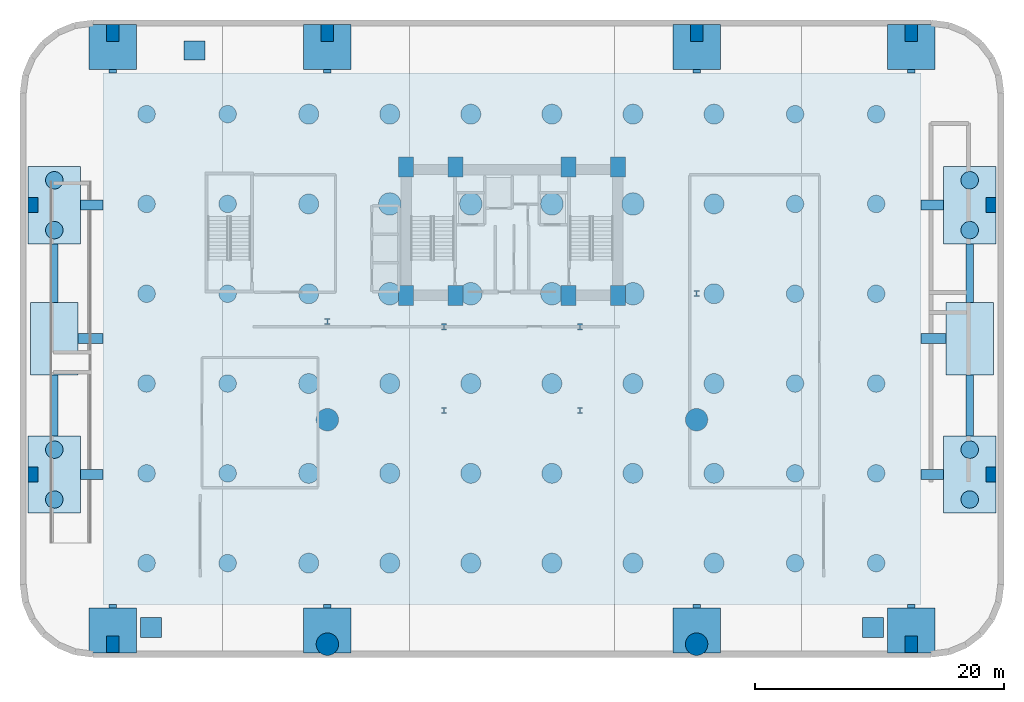
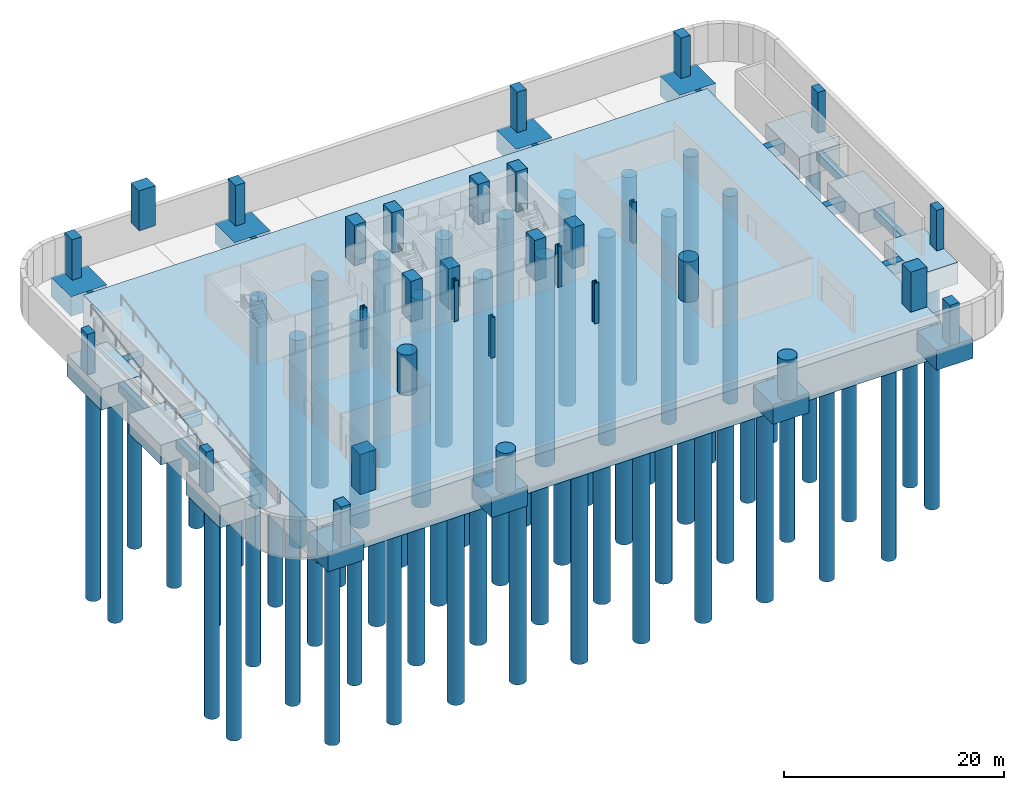
# One storey, part 1 of 8: 68 piles, 36 footings, 28 columns.
"""IFC4 building model written with IfcOpenShell, lengths in metres."""

from ifc_helpers import new_model, si_unit, direction, frame, origin, origin_2d, place, context, subcontext, project, spatial, polyline, rectangle, circle, i_section, outline, extrude, source, transform, mapped, material, material_profile, profile_set, type_object, element, save


model = new_model("IFC4")

# Units and contexts
model_context = context("Model", 3, precision=1e-05, world=origin(), true_north=direction((0.0, 1.0)))
body_context = subcontext(model_context, "Body", "Model", "MODEL_VIEW")
ifc_project = project(units=[si_unit("LENGTHUNIT", "METRE"), si_unit("AREAUNIT", "SQUARE_METRE"), si_unit("VOLUMEUNIT", "CUBIC_METRE"), si_unit("PLANEANGLEUNIT", "RADIAN"), si_unit("MASSUNIT", "GRAM", prefix="KILO")], contexts=[model_context])

# Site, building, storey
site_placement = place(None, origin())
site = spatial("IfcSite", under=ifc_project, at=site_placement, CompositionType="ELEMENT")
building_placement = place(site_placement, origin())
building = spatial("IfcBuilding", under=site, at=building_placement, Name="Varnelok Gate Tower", CompositionType="ELEMENT")
storey_placement = place(building_placement, frame((0.0, 0.0, -9.0)))
storey = spatial("IfcBuildingStorey", under=building, at=storey_placement, Name="B02", CompositionType="ELEMENT", Elevation=-9.0)

# Footings
ifc_material_1 = material(Name="Concrete C50/60", Category="concrete")
footing_type_1 = type_object("IfcFootingType", Name="FTG-CAP-B", PredefinedType="PILE_CAP", material=ifc_material_1)
footing_1_placement = place(storey_placement, frame((0.0, 0.0, 4.199951171875)))
element("IfcFooting", 1, at=footing_1_placement, inside=storey, type_object=footing_type_1, Name="Accessible Entry Ramp AR-1 Foundation Pier", PredefinedType="PILE_CAP", context=body_context, shape_type="SweptSolid", body=[
    extrude(outline(polyline([(9.39990234375, 1.35009765625), (11.10009765625, 1.35009765625), (11.10009765625, 2.949951171875), (9.39990234375, 2.949951171875), (9.39990234375, 1.35009765625)])), origin(), (0.0, 0.0, 1.0), 4.43994140625),
])
footing_2_placement = place(storey_placement, frame((0.0, 0.0, 4.199951171875)))
element("IfcFooting", 2, at=footing_2_placement, inside=storey, type_object=footing_type_1, Name="Accessible Entry Ramp AR-2 Foundation Pier", PredefinedType="PILE_CAP", context=body_context, shape_type="SweptSolid", body=[
    extrude(outline(polyline([(67.300048828125, 1.35009765625), (69.0, 1.35009765625), (69.0, 2.949951171875), (67.300048828125, 2.949951171875), (67.300048828125, 1.35009765625)])), origin(), (0.0, 0.0, 1.0), 4.43994140625),
])
footing_3_placement = place(storey_placement, frame((0.0, 0.0, 4.199951171875)))
element("IfcFooting", 3, at=footing_3_placement, inside=storey, type_object=footing_type_1, Name="Accessible Entry Ramp AR-3 Foundation Pier", PredefinedType="PILE_CAP", context=body_context, shape_type="SweptSolid", body=[
    extrude(outline(polyline([(12.89990234375, 47.64990234375), (14.60009765625, 47.64990234375), (14.60009765625, 49.14990234375), (12.89990234375, 49.14990234375), (12.89990234375, 47.64990234375)])), origin(), (0.0, 0.0, 1.0), 4.43994140625),
])
ifc_material_profile_1 = material_profile(ifc_material_1, rectangle(XDim=0.800048828125, YDim=1.199951171875, at=origin_2d()), Name="RC1200X800")
ifc_profile_set_1 = profile_set([ifc_material_profile_1], Name="Concrete C50/60")
footing_type_2 = type_object("IfcFootingType", Name="FTG-GB-1200", PredefinedType="FOOTING_BEAM", material=ifc_profile_set_1)
footing_4_placement = place(storey_placement, frame((4.60009765625, 14.39990234375, -0.60009765625), z_axis=(1.0, 0.0, 0.0), x_axis=(0.0, 1.0, 0.0)))
element("IfcFooting", 4, at=footing_4_placement, inside=storey, type_object=footing_type_2, Name="Foundation Tie Beam W1", PredefinedType="FOOTING_BEAM", context=body_context, shape_type="SweptSolid", body=[
    extrude(rectangle(XDim=0.800048828125, YDim=1.199951171875, at=origin_2d()), origin(), (0.0, 0.0, 1.0), 1.7998046875),
])
footing_5_placement = place(storey_placement, frame((72.0, 14.39990234375, -0.60009765625), z_axis=(1.0, 0.0, 0.0), x_axis=(0.0, 1.0, 0.0)))
element("IfcFooting", 5, at=footing_5_placement, inside=storey, type_object=footing_type_2, Name="Foundation Tie Beam E1", PredefinedType="FOOTING_BEAM", context=body_context, shape_type="SweptSolid", body=[
    extrude(rectangle(XDim=0.800048828125, YDim=1.199951171875, at=origin_2d()), origin(), (0.0, 0.0, 1.0), 1.800048828125),
])
for number, where, z_axis, x_axis, name in (
    (6, (4.39990234375, 25.300048828125, -0.60009765625), (1.0, 0.0, 0.0), (0.0, 1.0, 0.0), "Foundation Tie Beam W2"),
    (7, (72.0, 25.300048828125, -0.60009765625), (1.0, 0.0, 0.0), (0.0, 1.0, 0.0), "Foundation Tie Beam E2"),
):
    element("IfcFooting", number, at=place(storey_placement, frame(where, z_axis=z_axis, x_axis=x_axis)), inside=storey, type_object=footing_type_2, Name=name, PredefinedType="FOOTING_BEAM", context=body_context, shape_type="SweptSolid", body=[
        extrude(rectangle(XDim=0.800048828125, YDim=1.199951171875, at=origin_2d()), origin(), (0.0, 0.0, 1.0), 2.0),
    ])
footing_6_placement = place(storey_placement, frame((4.60009765625, 36.0, -0.60009765625), z_axis=(1.0, 0.0, 0.0), x_axis=(0.0, 1.0, 0.0)))
element("IfcFooting", 8, at=footing_6_placement, inside=storey, type_object=footing_type_2, Name="Foundation Tie Beam W3", PredefinedType="FOOTING_BEAM", context=body_context, shape_type="SweptSolid", body=[
    extrude(rectangle(XDim=0.800048828125, YDim=1.199951171875, at=origin_2d()), origin(), (0.0, 0.0, 1.0), 1.7998046875),
])
footing_7_placement = place(storey_placement, frame((72.0, 36.0, -0.60009765625), z_axis=(1.0, 0.0, 0.0), x_axis=(0.0, 1.0, 0.0)))
element("IfcFooting", 9, at=footing_7_placement, inside=storey, type_object=footing_type_2, Name="Foundation Tie Beam E3", PredefinedType="FOOTING_BEAM", context=body_context, shape_type="SweptSolid", body=[
    extrude(rectangle(XDim=0.800048828125, YDim=1.199951171875, at=origin_2d()), origin(), (0.0, 0.0, 1.0), 1.800048828125),
])
ifc_material_profile_2 = material_profile(ifc_material_1, rectangle(XDim=0.60009765625, YDim=0.949951171875, at=origin_2d()), Name="RC950X600")
ifc_profile_set_2 = profile_set([ifc_material_profile_2], Name="Concrete C50/60")
footing_type_3 = type_object("IfcFootingType", Name="FTG-GB-950", PredefinedType="FOOTING_BEAM", material=ifc_profile_set_2)
footing_8_placement = place(storey_placement, frame((2.5, 17.5, -0.47509765625), z_axis=(0.0, 1.0, 0.0), x_axis=(-1.0, 0.0, 0.0)))
element("IfcFooting", 10, at=footing_8_placement, inside=storey, type_object=footing_type_3, Name="Perimeter Ground Beam FTG-GB-WL1", PredefinedType="FOOTING_BEAM", context=body_context, shape_type="SweptSolid", body=[
    extrude(rectangle(XDim=0.60009765625, YDim=0.949951171875, at=origin_2d()), origin(), (0.0, 0.0, 1.0), 4.89990234375),
])
footing_9_placement = place(storey_placement, frame((2.5, 28.199951171875, -0.47509765625), z_axis=(0.0, 1.0, 0.0), x_axis=(-1.0, 0.0, 0.0)))
element("IfcFooting", 11, at=footing_9_placement, inside=storey, type_object=footing_type_3, Name="Perimeter Ground Beam FTG-GB-WL2", PredefinedType="FOOTING_BEAM", context=body_context, shape_type="SweptSolid", body=[
    extrude(rectangle(XDim=0.60009765625, YDim=0.949951171875, at=origin_2d()), origin(), (0.0, 0.0, 1.0), 4.699951171875),
])
footing_10_placement = place(storey_placement, frame((75.89990234375, 17.5, -0.47509765625), z_axis=(0.0, 1.0, 0.0), x_axis=(-1.0, 0.0, 0.0)))
element("IfcFooting", 12, at=footing_10_placement, inside=storey, type_object=footing_type_3, Name="Perimeter Ground Beam FTG-GB-EL1", PredefinedType="FOOTING_BEAM", context=body_context, shape_type="SweptSolid", body=[
    extrude(rectangle(XDim=0.60009765625, YDim=0.949951171875, at=origin_2d()), origin(), (0.0, 0.0, 1.0), 4.89990234375),
])
footing_11_placement = place(storey_placement, frame((75.89990234375, 28.199951171875, -0.47509765625), z_axis=(0.0, 1.0, 0.0), x_axis=(-1.0, 0.0, 0.0)))
element("IfcFooting", 13, at=footing_11_placement, inside=storey, type_object=footing_type_3, Name="Perimeter Ground Beam FTG-GB-EL2", PredefinedType="FOOTING_BEAM", context=body_context, shape_type="SweptSolid", body=[
    extrude(rectangle(XDim=0.60009765625, YDim=0.949951171875, at=origin_2d()), origin(), (0.0, 0.0, 1.0), 4.699951171875),
])
for number, where, z_axis, x_axis, name in (
    (14, (7.199951171875, 3.699951171875, -0.47509765625), (0.0, 1.0, 0.0), (-1.0, 0.0, 0.0), "North-South Tie Ground Beam PM01"),
    (15, (24.39990234375, 3.699951171875, -0.47509765625), (0.0, 1.0, 0.0), (-1.0, 0.0, 0.0), "North-South Tie Ground Beam PM02"),
    (16, (54.0, 3.699951171875, -0.47509765625), (0.0, 1.0, 0.0), (-1.0, 0.0, 0.0), "North-South Tie Ground Beam PM03"),
    (17, (71.199951171875, 3.699951171875, -0.47509765625), (0.0, 1.0, 0.0), (-1.0, 0.0, 0.0), "North-South Tie Ground Beam PM04"),
):
    element("IfcFooting", number, at=place(storey_placement, frame(where, z_axis=z_axis, x_axis=x_axis)), inside=storey, type_object=footing_type_3, Name=name, PredefinedType="FOOTING_BEAM", context=body_context, shape_type="SweptSolid", body=[
        extrude(rectangle(XDim=0.60009765625, YDim=0.949951171875, at=origin_2d()), origin(), (0.0, 0.0, 1.0), 0.300048828125),
    ])
for number, where, z_axis, x_axis, name in (
    (18, (7.199951171875, 46.60009765625, -0.47509765625), (0.0, 1.0, 0.0), (-1.0, 0.0, 0.0), "North-South Tie Ground Beam PM07"),
    (19, (24.39990234375, 46.60009765625, -0.47509765625), (0.0, 1.0, 0.0), (-1.0, 0.0, 0.0), "North-South Tie Ground Beam PM08"),
    (20, (54.0, 46.60009765625, -0.47509765625), (0.0, 1.0, 0.0), (-1.0, 0.0, 0.0), "North-South Tie Ground Beam PM09"),
    (21, (71.199951171875, 46.60009765625, -0.47509765625), (0.0, 1.0, 0.0), (-1.0, 0.0, 0.0), "North-South Tie Ground Beam PM10"),
):
    element("IfcFooting", number, at=place(storey_placement, frame(where, z_axis=z_axis, x_axis=x_axis)), inside=storey, type_object=footing_type_3, Name=name, PredefinedType="FOOTING_BEAM", context=body_context, shape_type="SweptSolid", body=[
        extrude(rectangle(XDim=0.60009765625, YDim=0.949951171875, at=origin_2d()), origin(), (0.0, 0.0, 1.0), 0.2998046875),
    ])
footing_type_4 = type_object("IfcFootingType", Name="FTG-RAFT-4000", PredefinedType="PILE_CAP", material=ifc_material_1)
footing_12_placement = place(storey_placement, frame((0.0, 0.0, -4.0)))
element("IfcFooting", 22, at=footing_12_placement, inside=storey, type_object=footing_type_4, Name="Main Tower RC Piled Raft Foundation", PredefinedType="PILE_CAP", context=body_context, shape_type="SweptSolid", body=[
    extrude(outline(polyline([(6.39990234375, 4.0), (72.0, 4.0), (72.0, 46.60009765625), (6.39990234375, 46.60009765625), (6.39990234375, 4.0)])), origin(), (0.0, 0.0, 1.0), 4.0),
])

# Piles
ifc_material_profile_3 = material_profile(ifc_material_1, circle(Radius=0.699951171875, at=origin_2d()), Name="RCD1400")
ifc_profile_set_3 = profile_set([ifc_material_profile_3], Name="Concrete C50/60")
pile_type_1 = type_object("IfcPileType", Name="PILE-RCD1400", PredefinedType="BORED", material=ifc_profile_set_3)
for number, where, z_axis, x_axis, name in (
    (23, (9.89990234375, 7.300048828125, -3.89990234375), (0.0, 0.0, -1.0), (1.0, 0.0, 0.0), "Rock-Socketed Bored Pile P-001"),
    (24, (9.89990234375, 14.5, -3.89990234375), (0.0, 0.0, -1.0), (1.0, 0.0, 0.0), "Rock-Socketed Bored Pile P-002"),
    (25, (9.89990234375, 21.699951171875, -3.89990234375), (0.0, 0.0, -1.0), (1.0, 0.0, 0.0), "Rock-Socketed Bored Pile P-003"),
    (26, (9.89990234375, 28.89990234375, -3.89990234375), (0.0, 0.0, -1.0), (1.0, 0.0, 0.0), "Rock-Socketed Bored Pile P-004"),
    (27, (9.89990234375, 36.10009765625, -3.89990234375), (0.0, 0.0, -1.0), (1.0, 0.0, 0.0), "Rock-Socketed Bored Pile P-005"),
    (28, (9.89990234375, 43.300048828125, -3.89990234375), (0.0, 0.0, -1.0), (1.0, 0.0, 0.0), "Rock-Socketed Bored Pile P-006"),
    (29, (16.39990234375, 7.300048828125, -3.89990234375), (0.0, 0.0, -1.0), (1.0, 0.0, 0.0), "Rock-Socketed Bored Pile P-007"),
    (30, (16.39990234375, 14.5, -3.89990234375), (0.0, 0.0, -1.0), (1.0, 0.0, 0.0), "Rock-Socketed Bored Pile P-008"),
    (31, (16.39990234375, 21.699951171875, -3.89990234375), (0.0, 0.0, -1.0), (1.0, 0.0, 0.0), "Rock-Socketed Bored Pile P-009"),
    (32, (16.39990234375, 28.89990234375, -3.89990234375), (0.0, 0.0, -1.0), (1.0, 0.0, 0.0), "Rock-Socketed Bored Pile P-010"),
    (33, (16.39990234375, 36.10009765625, -3.89990234375), (0.0, 0.0, -1.0), (1.0, 0.0, 0.0), "Rock-Socketed Bored Pile P-011"),
    (34, (16.39990234375, 43.300048828125, -3.89990234375), (0.0, 0.0, -1.0), (1.0, 0.0, 0.0), "Rock-Socketed Bored Pile P-012"),
    (35, (61.89990234375, 7.300048828125, -3.89990234375), (0.0, 0.0, -1.0), (1.0, 0.0, 0.0), "Rock-Socketed Bored Pile P-049"),
    (36, (61.89990234375, 14.5, -3.89990234375), (0.0, 0.0, -1.0), (1.0, 0.0, 0.0), "Rock-Socketed Bored Pile P-050"),
    (37, (61.89990234375, 21.699951171875, -3.89990234375), (0.0, 0.0, -1.0), (1.0, 0.0, 0.0), "Rock-Socketed Bored Pile P-051"),
    (38, (61.89990234375, 28.89990234375, -3.89990234375), (0.0, 0.0, -1.0), (1.0, 0.0, 0.0), "Rock-Socketed Bored Pile P-052"),
    (39, (61.89990234375, 36.10009765625, -3.89990234375), (0.0, 0.0, -1.0), (1.0, 0.0, 0.0), "Rock-Socketed Bored Pile P-053"),
    (40, (61.89990234375, 43.300048828125, -3.89990234375), (0.0, 0.0, -1.0), (1.0, 0.0, 0.0), "Rock-Socketed Bored Pile P-054"),
    (41, (68.39990234375, 7.300048828125, -3.89990234375), (0.0, 0.0, -1.0), (1.0, 0.0, 0.0), "Rock-Socketed Bored Pile P-055"),
    (42, (68.39990234375, 14.5, -3.89990234375), (0.0, 0.0, -1.0), (1.0, 0.0, 0.0), "Rock-Socketed Bored Pile P-056"),
    (43, (68.39990234375, 21.699951171875, -3.89990234375), (0.0, 0.0, -1.0), (1.0, 0.0, 0.0), "Rock-Socketed Bored Pile P-057"),
    (44, (68.39990234375, 28.89990234375, -3.89990234375), (0.0, 0.0, -1.0), (1.0, 0.0, 0.0), "Rock-Socketed Bored Pile P-058"),
    (45, (68.39990234375, 36.10009765625, -3.89990234375), (0.0, 0.0, -1.0), (1.0, 0.0, 0.0), "Rock-Socketed Bored Pile P-059"),
    (46, (68.39990234375, 43.300048828125, -3.89990234375), (0.0, 0.0, -1.0), (1.0, 0.0, 0.0), "Rock-Socketed Bored Pile P-060"),
):
    element("IfcPile", number, at=place(storey_placement, frame(where, z_axis=z_axis, x_axis=x_axis)), inside=storey, type_object=pile_type_1, Name=name, PredefinedType="BORED", context=body_context, shape_type="SweptSolid", body=[
        extrude(circle(Radius=0.699951171875, at=origin_2d()), origin(), (0.0, 0.0, 1.0), 23.10009765625),
    ])
for number, where, z_axis, x_axis, name in (
    (47, (2.5, 12.39990234375, -2.300048828125), (0.0, 0.0, -1.0), (1.0, 0.0, 0.0), "Perimeter Cap Bored Pile FTG-CAP-W1-1"),
    (48, (2.5, 16.39990234375, -2.300048828125), (0.0, 0.0, -1.0), (1.0, 0.0, 0.0), "Perimeter Cap Bored Pile FTG-CAP-W1-2"),
    (49, (2.5, 34.0, -2.300048828125), (0.0, 0.0, -1.0), (1.0, 0.0, 0.0), "Perimeter Cap Bored Pile FTG-CAP-W3-1"),
    (50, (2.5, 38.0, -2.300048828125), (0.0, 0.0, -1.0), (1.0, 0.0, 0.0), "Perimeter Cap Bored Pile FTG-CAP-W3-2"),
    (51, (75.89990234375, 12.39990234375, -2.300048828125), (0.0, 0.0, -1.0), (1.0, 0.0, 0.0), "Perimeter Cap Bored Pile FTG-CAP-E1-1"),
    (52, (75.89990234375, 16.39990234375, -2.300048828125), (0.0, 0.0, -1.0), (1.0, 0.0, 0.0), "Perimeter Cap Bored Pile FTG-CAP-E1-2"),
    (53, (75.89990234375, 34.0, -2.300048828125), (0.0, 0.0, -1.0), (1.0, 0.0, 0.0), "Perimeter Cap Bored Pile FTG-CAP-E3-1"),
    (54, (75.89990234375, 38.0, -2.300048828125), (0.0, 0.0, -1.0), (1.0, 0.0, 0.0), "Perimeter Cap Bored Pile FTG-CAP-E3-2"),
):
    element("IfcPile", number, at=place(storey_placement, frame(where, z_axis=z_axis, x_axis=x_axis)), inside=storey, type_object=pile_type_1, Name=name, PredefinedType="BORED", context=body_context, shape_type="SweptSolid", body=[
        extrude(circle(Radius=0.699951171875, at=origin_2d()), origin(), (0.0, 0.0, 1.0), 24.699951171875),
    ])
ifc_material_profile_4 = material_profile(ifc_material_1, circle(Radius=0.800048828125, at=origin_2d()), Name="RCD1600")
ifc_profile_set_4 = profile_set([ifc_material_profile_4], Name="Concrete C50/60")
pile_type_2 = type_object("IfcPileType", Name="PILE-RCD1600", PredefinedType="BORED", material=ifc_profile_set_4)
for number, where, z_axis, x_axis, name in (
    (55, (22.89990234375, 7.300048828125, -3.89990234375), (0.0, 0.0, -1.0), (1.0, 0.0, 0.0), "Rock-Socketed Bored Pile P-013"),
    (56, (22.89990234375, 14.5, -3.89990234375), (0.0, 0.0, -1.0), (1.0, 0.0, 0.0), "Rock-Socketed Bored Pile P-014"),
    (57, (22.89990234375, 21.699951171875, -3.89990234375), (0.0, 0.0, -1.0), (1.0, 0.0, 0.0), "Rock-Socketed Bored Pile P-015"),
    (58, (22.89990234375, 28.89990234375, -3.89990234375), (0.0, 0.0, -1.0), (1.0, 0.0, 0.0), "Rock-Socketed Bored Pile P-016"),
    (59, (22.89990234375, 36.10009765625, -3.89990234375), (0.0, 0.0, -1.0), (1.0, 0.0, 0.0), "Rock-Socketed Bored Pile P-017"),
    (60, (22.89990234375, 43.300048828125, -3.89990234375), (0.0, 0.0, -1.0), (1.0, 0.0, 0.0), "Rock-Socketed Bored Pile P-018"),
    (61, (29.39990234375, 7.300048828125, -3.89990234375), (0.0, 0.0, -1.0), (1.0, 0.0, 0.0), "Rock-Socketed Bored Pile P-019"),
    (62, (29.39990234375, 14.5, -3.89990234375), (0.0, 0.0, -1.0), (1.0, 0.0, 0.0), "Rock-Socketed Bored Pile P-020"),
    (63, (29.39990234375, 21.699951171875, -3.89990234375), (0.0, 0.0, -1.0), (1.0, 0.0, 0.0), "Rock-Socketed Bored Pile P-021"),
    (64, (29.39990234375, 43.300048828125, -3.89990234375), (0.0, 0.0, -1.0), (1.0, 0.0, 0.0), "Rock-Socketed Bored Pile P-024"),
    (65, (35.89990234375, 7.300048828125, -3.89990234375), (0.0, 0.0, -1.0), (1.0, 0.0, 0.0), "Rock-Socketed Bored Pile P-025"),
    (66, (35.89990234375, 14.5, -3.89990234375), (0.0, 0.0, -1.0), (1.0, 0.0, 0.0), "Rock-Socketed Bored Pile P-026"),
    (67, (35.89990234375, 21.699951171875, -3.89990234375), (0.0, 0.0, -1.0), (1.0, 0.0, 0.0), "Rock-Socketed Bored Pile P-027"),
    (68, (35.89990234375, 43.300048828125, -3.89990234375), (0.0, 0.0, -1.0), (1.0, 0.0, 0.0), "Rock-Socketed Bored Pile P-030"),
    (69, (42.39990234375, 7.300048828125, -3.89990234375), (0.0, 0.0, -1.0), (1.0, 0.0, 0.0), "Rock-Socketed Bored Pile P-031"),
    (70, (42.39990234375, 14.5, -3.89990234375), (0.0, 0.0, -1.0), (1.0, 0.0, 0.0), "Rock-Socketed Bored Pile P-032"),
    (71, (42.39990234375, 21.699951171875, -3.89990234375), (0.0, 0.0, -1.0), (1.0, 0.0, 0.0), "Rock-Socketed Bored Pile P-033"),
    (72, (42.39990234375, 43.300048828125, -3.89990234375), (0.0, 0.0, -1.0), (1.0, 0.0, 0.0), "Rock-Socketed Bored Pile P-036"),
    (73, (48.89990234375, 7.300048828125, -3.89990234375), (0.0, 0.0, -1.0), (1.0, 0.0, 0.0), "Rock-Socketed Bored Pile P-037"),
    (74, (48.89990234375, 14.5, -3.89990234375), (0.0, 0.0, -1.0), (1.0, 0.0, 0.0), "Rock-Socketed Bored Pile P-038"),
    (75, (48.89990234375, 21.699951171875, -3.89990234375), (0.0, 0.0, -1.0), (1.0, 0.0, 0.0), "Rock-Socketed Bored Pile P-039"),
    (76, (48.89990234375, 43.300048828125, -3.89990234375), (0.0, 0.0, -1.0), (1.0, 0.0, 0.0), "Rock-Socketed Bored Pile P-042"),
    (77, (55.39990234375, 7.300048828125, -3.89990234375), (0.0, 0.0, -1.0), (1.0, 0.0, 0.0), "Rock-Socketed Bored Pile P-043"),
    (78, (55.39990234375, 14.5, -3.89990234375), (0.0, 0.0, -1.0), (1.0, 0.0, 0.0), "Rock-Socketed Bored Pile P-044"),
    (79, (55.39990234375, 21.699951171875, -3.89990234375), (0.0, 0.0, -1.0), (1.0, 0.0, 0.0), "Rock-Socketed Bored Pile P-045"),
    (80, (55.39990234375, 28.89990234375, -3.89990234375), (0.0, 0.0, -1.0), (1.0, 0.0, 0.0), "Rock-Socketed Bored Pile P-046"),
    (81, (55.39990234375, 36.10009765625, -3.89990234375), (0.0, 0.0, -1.0), (1.0, 0.0, 0.0), "Rock-Socketed Bored Pile P-047"),
    (82, (55.39990234375, 43.300048828125, -3.89990234375), (0.0, 0.0, -1.0), (1.0, 0.0, 0.0), "Rock-Socketed Bored Pile P-048"),
):
    element("IfcPile", number, at=place(storey_placement, frame(where, z_axis=z_axis, x_axis=x_axis)), inside=storey, type_object=pile_type_2, Name=name, PredefinedType="BORED", context=body_context, shape_type="SweptSolid", body=[
        extrude(circle(Radius=0.800048828125, at=origin_2d()), origin(), (0.0, 0.0, 1.0), 23.10009765625),
    ])
ifc_material_profile_5 = material_profile(ifc_material_1, circle(Radius=0.89990234375, at=origin_2d()), Name="RCD1800")
ifc_profile_set_5 = profile_set([ifc_material_profile_5], Name="Concrete C50/60")
pile_type_3 = type_object("IfcPileType", Name="PILE-RCD1800", PredefinedType="BORED", material=ifc_profile_set_5)
for number, where, z_axis, x_axis, name in (
    (83, (29.39990234375, 28.89990234375, -3.89990234375), (0.0, 0.0, -1.0), (1.0, 0.0, 0.0), "Rock-Socketed Bored Pile P-022"),
    (84, (29.39990234375, 36.10009765625, -3.89990234375), (0.0, 0.0, -1.0), (1.0, 0.0, 0.0), "Rock-Socketed Bored Pile P-023"),
    (85, (35.89990234375, 28.89990234375, -3.89990234375), (0.0, 0.0, -1.0), (1.0, 0.0, 0.0), "Rock-Socketed Bored Pile P-028"),
    (86, (35.89990234375, 36.10009765625, -3.89990234375), (0.0, 0.0, -1.0), (1.0, 0.0, 0.0), "Rock-Socketed Bored Pile P-029"),
    (87, (42.39990234375, 28.89990234375, -3.89990234375), (0.0, 0.0, -1.0), (1.0, 0.0, 0.0), "Rock-Socketed Bored Pile P-034"),
    (88, (42.39990234375, 36.10009765625, -3.89990234375), (0.0, 0.0, -1.0), (1.0, 0.0, 0.0), "Rock-Socketed Bored Pile P-035"),
    (89, (48.89990234375, 28.89990234375, -3.89990234375), (0.0, 0.0, -1.0), (1.0, 0.0, 0.0), "Rock-Socketed Bored Pile P-040"),
    (90, (48.89990234375, 36.10009765625, -3.89990234375), (0.0, 0.0, -1.0), (1.0, 0.0, 0.0), "Rock-Socketed Bored Pile P-041"),
):
    element("IfcPile", number, at=place(storey_placement, frame(where, z_axis=z_axis, x_axis=x_axis)), inside=storey, type_object=pile_type_3, Name=name, PredefinedType="BORED", context=body_context, shape_type="SweptSolid", body=[
        extrude(circle(Radius=0.89990234375, at=origin_2d()), origin(), (0.0, 0.0, 1.0), 23.10009765625),
    ])

# Footings
footing_type_5 = type_object("IfcFootingType", Name="FTG-CAP-A", PredefinedType="PILE_CAP", material=ifc_material_1)
shared_shape_1 = source(origin(), body_context, "Body", "SweptSolid", [
    extrude(rectangle(XDim=4.199951171875, YDim=6.199951171875, at=origin_2d()), origin(), (0.0, 0.0, 1.0), 2.39990234375),
])
for number, where, z_axis, x_axis, name in (
    (91, (2.5, 14.39990234375, -2.39990234375), (0.0, 0.0, 1.0), (1.0, 0.0, 0.0), "Perimeter Mega-Pier Pile Cap FTG-CAP-W1"),
    (92, (2.5, 36.0, -2.39990234375), (0.0, 0.0, 1.0), (1.0, 0.0, 0.0), "Perimeter Mega-Pier Pile Cap FTG-CAP-W3"),
    (93, (75.89990234375, 14.39990234375, -2.39990234375), (0.0, 0.0, 1.0), (1.0, 0.0, 0.0), "Perimeter Mega-Pier Pile Cap FTG-CAP-E1"),
    (94, (75.89990234375, 36.0, -2.39990234375), (0.0, 0.0, 1.0), (1.0, 0.0, 0.0), "Perimeter Mega-Pier Pile Cap FTG-CAP-E3"),
):
    element("IfcFooting", number, at=place(storey_placement, frame(where, z_axis=z_axis, x_axis=x_axis)), inside=storey, type_object=footing_type_5, Name=name, PredefinedType="PILE_CAP", context=body_context, shape_type="MappedRepresentation", body=[
        mapped(shared_shape_1, transform((0.0, 0.0, 0.0), scale=1.0)),
    ])
shared_shape_2 = source(origin(), body_context, "Body", "SweptSolid", [
    extrude(rectangle(XDim=3.800048828125, YDim=5.800048828125, at=origin_2d()), origin(), (0.0, 0.0, 1.0), 2.199951171875),
])
for number, where, z_axis, x_axis, name in (
    (95, (2.5, 25.300048828125, -2.2001953125), (0.0, 0.0, 1.0), (1.0, 0.0, 0.0), "Perimeter Mega-Pier Pile Cap FTG-CAP-W2"),
    (96, (75.89990234375, 25.300048828125, -2.2001953125), (0.0, 0.0, 1.0), (1.0, 0.0, 0.0), "Perimeter Mega-Pier Pile Cap FTG-CAP-E2"),
):
    element("IfcFooting", number, at=place(storey_placement, frame(where, z_axis=z_axis, x_axis=x_axis)), inside=storey, type_object=footing_type_1, Name=name, PredefinedType="PILE_CAP", context=body_context, shape_type="MappedRepresentation", body=[
        mapped(shared_shape_2, transform((0.0, 0.0, 0.0), scale=1.0)),
    ])
shared_shape_3 = source(origin(), body_context, "Body", "SweptSolid", [
    extrude(rectangle(XDim=3.800048828125, YDim=3.60009765625, at=origin_2d()), origin(), (0.0, 0.0, 1.0), 2.199951171875),
])
for number, where, z_axis, x_axis, name in (
    (97, (7.199951171875, 1.89990234375, -2.2001953125), (0.0, 0.0, 1.0), (1.0, 0.0, 0.0), "Mega-Column Pile Cap PM01"),
    (98, (24.39990234375, 1.89990234375, -2.2001953125), (0.0, 0.0, 1.0), (1.0, 0.0, 0.0), "Mega-Column Pile Cap PM02"),
    (99, (54.0, 1.89990234375, -2.2001953125), (0.0, 0.0, 1.0), (1.0, 0.0, 0.0), "Mega-Column Pile Cap PM03"),
    (100, (71.199951171875, 1.89990234375, -2.2001953125), (0.0, 0.0, 1.0), (1.0, 0.0, 0.0), "Mega-Column Pile Cap PM04"),
    (101, (7.199951171875, 48.699951171875, -2.2001953125), (0.0, 0.0, 1.0), (1.0, 0.0, 0.0), "Mega-Column Pile Cap PM07"),
    (102, (24.39990234375, 48.699951171875, -2.2001953125), (0.0, 0.0, 1.0), (1.0, 0.0, 0.0), "Mega-Column Pile Cap PM08"),
    (103, (54.0, 48.699951171875, -2.2001953125), (0.0, 0.0, 1.0), (1.0, 0.0, 0.0), "Mega-Column Pile Cap PM09"),
    (104, (71.199951171875, 48.699951171875, -2.2001953125), (0.0, 0.0, 1.0), (1.0, 0.0, 0.0), "Mega-Column Pile Cap PM10"),
):
    element("IfcFooting", number, at=place(storey_placement, frame(where, z_axis=z_axis, x_axis=x_axis)), inside=storey, type_object=footing_type_1, Name=name, PredefinedType="PILE_CAP", context=body_context, shape_type="MappedRepresentation", body=[
        mapped(shared_shape_3, transform((0.0, 0.0, 0.0), scale=1.0)),
    ])

# Columns
ifc_material_2 = material(Name="Concrete C60/75", Category="concrete")
ifc_material_profile_6 = material_profile(ifc_material_2, rectangle(XDim=0.800048828125, YDim=1.199951171875, at=origin_2d()), Name="RC1200X800")
ifc_profile_set_6 = profile_set([ifc_material_profile_6], Name="Concrete C60/75")
column_type_1 = type_object("IfcColumnType", Name="COL-PIL-RC1200", PredefinedType="PILASTER", material=ifc_profile_set_6)
for number, where, z_axis, x_axis, name in (
    (105, (0.800048828125, 14.39990234375, 0.0), (0.0, 0.0, 1.0), (1.0, 0.0, 0.0), "B02 Podium Mega-Column PM11"),
    (106, (0.800048828125, 36.0, 0.0), (0.0, 0.0, 1.0), (1.0, 0.0, 0.0), "B02 Podium Mega-Column PM12"),
    (107, (77.60009765625, 14.39990234375, 0.0), (0.0, 0.0, 1.0), (1.0, 0.0, 0.0), "B02 Podium Mega-Column PM13"),
    (108, (77.60009765625, 36.0, 0.0), (0.0, 0.0, 1.0), (1.0, 0.0, 0.0), "B02 Podium Mega-Column PM14"),
):
    element("IfcColumn", number, at=place(storey_placement, frame(where, z_axis=z_axis, x_axis=x_axis)), inside=storey, type_object=column_type_1, Name=name, PredefinedType="PILASTER", context=body_context, shape_type="SweptSolid", body=[
        extrude(rectangle(XDim=0.800048828125, YDim=1.199951171875, at=origin_2d()), origin(), (0.0, 0.0, 1.0), 4.5),
    ])
ifc_material_3 = material(Name="Concrete C70/85", Category="concrete")
ifc_material_profile_7 = material_profile(ifc_material_3, rectangle(XDim=1.0, YDim=1.35009765625, at=origin_2d()), Name="RC1350X1000")
ifc_profile_set_7 = profile_set([ifc_material_profile_7], Name="Concrete C70/85")
column_type_2 = type_object("IfcColumnType", Name="COL-RC1350X1000", PredefinedType="COLUMN", material=ifc_profile_set_7)
for number, where, z_axis, x_axis, name in (
    (109, (7.199951171875, 0.800048828125, 0.0), (0.0, 0.0, 1.0), (1.0, 0.0, 0.0), "B02 Podium Mega-Column PM01"),
    (110, (71.199951171875, 0.800048828125, 0.0), (0.0, 0.0, 1.0), (1.0, 0.0, 0.0), "B02 Podium Mega-Column PM04"),
    (111, (7.199951171875, 49.800048828125, 0.0), (0.0, 0.0, 1.0), (1.0, 0.0, 0.0), "B02 Podium Mega-Column PM07"),
    (112, (24.39990234375, 49.800048828125, 0.0), (0.0, 0.0, 1.0), (1.0, 0.0, 0.0), "B02 Podium Mega-Column PM08"),
    (113, (54.0, 49.800048828125, 0.0), (0.0, 0.0, 1.0), (1.0, 0.0, 0.0), "B02 Podium Mega-Column PM09"),
    (114, (71.199951171875, 49.800048828125, 0.0), (0.0, 0.0, 1.0), (1.0, 0.0, 0.0), "B02 Podium Mega-Column PM10"),
):
    element("IfcColumn", number, at=place(storey_placement, frame(where, z_axis=z_axis, x_axis=x_axis)), inside=storey, type_object=column_type_2, Name=name, PredefinedType="COLUMN", context=body_context, shape_type="SweptSolid", body=[
        extrude(rectangle(XDim=1.0, YDim=1.35009765625, at=origin_2d()), origin(), (0.0, 0.0, 1.0), 4.5),
    ])
ifc_material_profile_8 = material_profile(ifc_material_3, rectangle(XDim=1.199951171875, YDim=1.60009765625, at=origin_2d()), Name="RC1600X1200")
ifc_profile_set_8 = profile_set([ifc_material_profile_8], Name="Concrete C70/85")
column_type_3 = type_object("IfcColumnType", Name="COL-RC1600X1200", PredefinedType="COLUMN", material=ifc_profile_set_8)
for number, where, z_axis, x_axis, name in (
    (115, (30.699951171875, 28.75, 0.0), (0.0, 0.0, 1.0), (1.0, 0.0, 0.0), "B02 Core Spine Column SC1"),
    (116, (34.679931640625, 28.75, 0.0), (0.0, 0.0, 1.0), (1.0, 0.0, 0.0), "B02 Core Spine Column SC2"),
    (117, (43.719970703125, 28.75, 0.0), (0.0, 0.0, 1.0), (1.0, 0.0, 0.0), "B02 Core Spine Column SC3"),
    (118, (47.699951171875, 28.75, 0.0), (0.0, 0.0, 1.0), (1.0, 0.0, 0.0), "B02 Core Spine Column SC4"),
    (119, (30.699951171875, 39.050048828125, 0.0), (0.0, 0.0, 1.0), (1.0, 0.0, 0.0), "B02 Core Spine Column SC5"),
    (120, (34.679931640625, 39.050048828125, 0.0), (0.0, 0.0, 1.0), (1.0, 0.0, 0.0), "B02 Core Spine Column SC6"),
    (121, (43.719970703125, 39.050048828125, 0.0), (0.0, 0.0, 1.0), (1.0, 0.0, 0.0), "B02 Core Spine Column SC7"),
    (122, (47.699951171875, 39.050048828125, 0.0), (0.0, 0.0, 1.0), (1.0, 0.0, 0.0), "B02 Core Spine Column SC8"),
):
    element("IfcColumn", number, at=place(storey_placement, frame(where, z_axis=z_axis, x_axis=x_axis)), inside=storey, type_object=column_type_3, Name=name, PredefinedType="COLUMN", context=body_context, shape_type="SweptSolid", body=[
        extrude(rectangle(XDim=1.199951171875, YDim=1.60009765625, at=origin_2d()), origin(), (0.0, 0.0, 1.0), 4.5),
    ])
ifc_material_profile_9 = material_profile(ifc_material_3, circle(Radius=0.89990234375, at=origin_2d()), Name="RCD1800")
ifc_profile_set_9 = profile_set([ifc_material_profile_9], Name="Concrete C70/85")
column_type_4 = type_object("IfcColumnType", Name="COL-RCD1800", PredefinedType="COLUMN", material=ifc_profile_set_9)
for number, where, z_axis, x_axis, name in (
    (123, (24.39990234375, 0.800048828125, 0.0), (0.0, 0.0, 1.0), (1.0, 0.0, 0.0), "B02 Podium Mega-Column PM02"),
    (124, (54.0, 0.800048828125, 0.0), (0.0, 0.0, 1.0), (1.0, 0.0, 0.0), "B02 Podium Mega-Column PM03"),
    (125, (24.39990234375, 18.800048828125, 0.0), (0.0, 0.0, 1.0), (1.0, 0.0, 0.0), "B02 Podium Mega-Column PM05"),
    (126, (54.0, 18.800048828125, 0.0), (0.0, 0.0, 1.0), (1.0, 0.0, 0.0), "B02 Podium Mega-Column PM06"),
):
    element("IfcColumn", number, at=place(storey_placement, frame(where, z_axis=z_axis, x_axis=x_axis)), inside=storey, type_object=column_type_4, Name=name, PredefinedType="COLUMN", context=body_context, shape_type="SweptSolid", body=[
        extrude(circle(Radius=0.89990234375, at=origin_2d()), origin(), (0.0, 0.0, 1.0), 4.5),
    ])
ifc_material_4 = material(Name="Structural Steel ASTM A992 Grade 50", Category="steel")
ifc_material_profile_10 = material_profile(ifc_material_4, i_section(OverallWidth=0.431884765625, OverallDepth=0.498046875, WebThickness=0.0556640625, FlangeThickness=0.0888671875, FilletRadius=0.02490234375, at=origin_2d()), Name="W14X500")
ifc_profile_set_10 = profile_set([ifc_material_profile_10], Name="Structural Steel ASTM A992 Grade 50")
column_type_5 = type_object("IfcColumnType", Name="COL-W14X500", PredefinedType="COLUMN", material=ifc_profile_set_10)
for number, where, z_axis, x_axis, name in (
    (127, (33.75, 19.550048828125, 0.0), (0.0, 0.0, 1.0), (1.0, 0.0, 0.0), "B02 Atrium Spine Column AC1"),
    (128, (44.64990234375, 19.550048828125, 0.0), (0.0, 0.0, 1.0), (1.0, 0.0, 0.0), "B02 Atrium Spine Column AC2"),
    (129, (33.75, 26.25, 0.0), (0.0, 0.0, 1.0), (1.0, 0.0, 0.0), "B02 Atrium Spine Column AC3"),
    (130, (44.64990234375, 26.25, 0.0), (0.0, 0.0, 1.0), (1.0, 0.0, 0.0), "B02 Atrium Spine Column AC4"),
    (131, (24.39990234375, 26.679931640625, 0.0), (0.0, 0.0, 1.0), (1.0, 0.0, 0.0), "B02 Wing Spine Column WS2"),
    (132, (54.0, 28.919921875, 0.0), (0.0, 0.0, 1.0), (1.0, 0.0, 0.0), "B02 Wing Spine Column ES2"),
):
    element("IfcColumn", number, at=place(storey_placement, frame(where, z_axis=z_axis, x_axis=x_axis)), inside=storey, type_object=column_type_5, Name=name, PredefinedType="COLUMN", context=body_context, shape_type="SweptSolid", body=[
        extrude(i_section(OverallWidth=0.431884765625, OverallDepth=0.498046875, WebThickness=0.0556640625, FlangeThickness=0.0888671875, FilletRadius=0.02490234375, at=origin_2d()), origin(), (0.0, 0.0, 1.0), 4.5),
    ])

save(model, "model.ifc")
